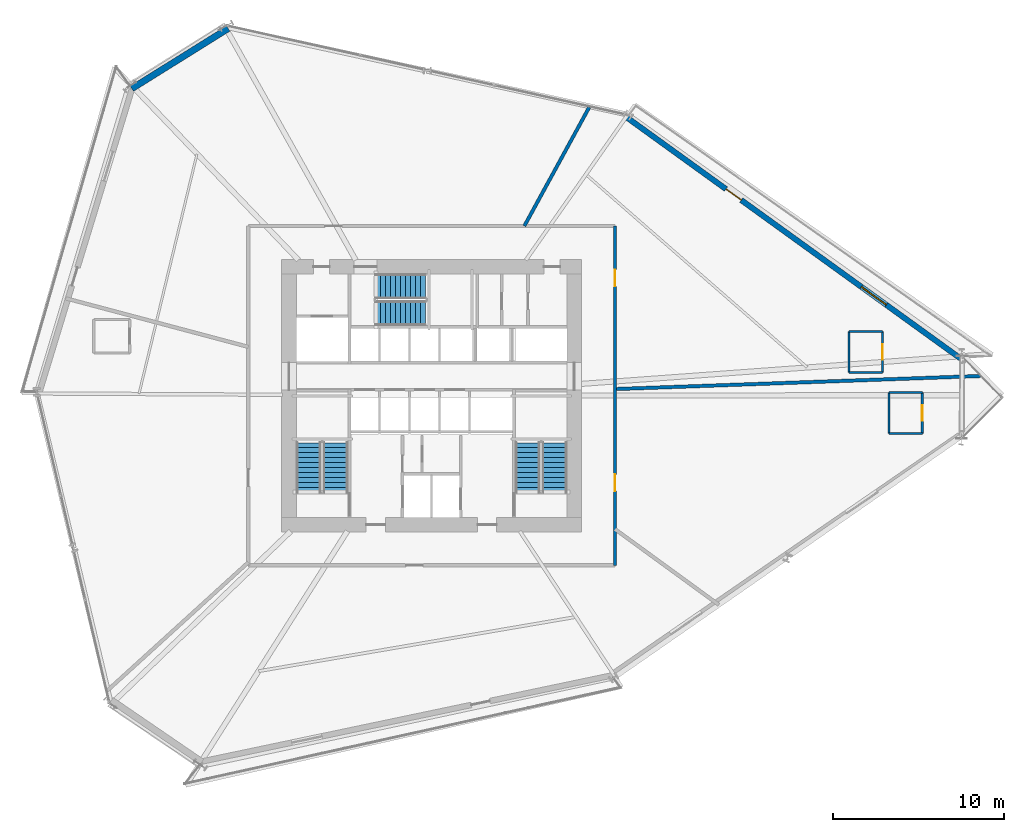
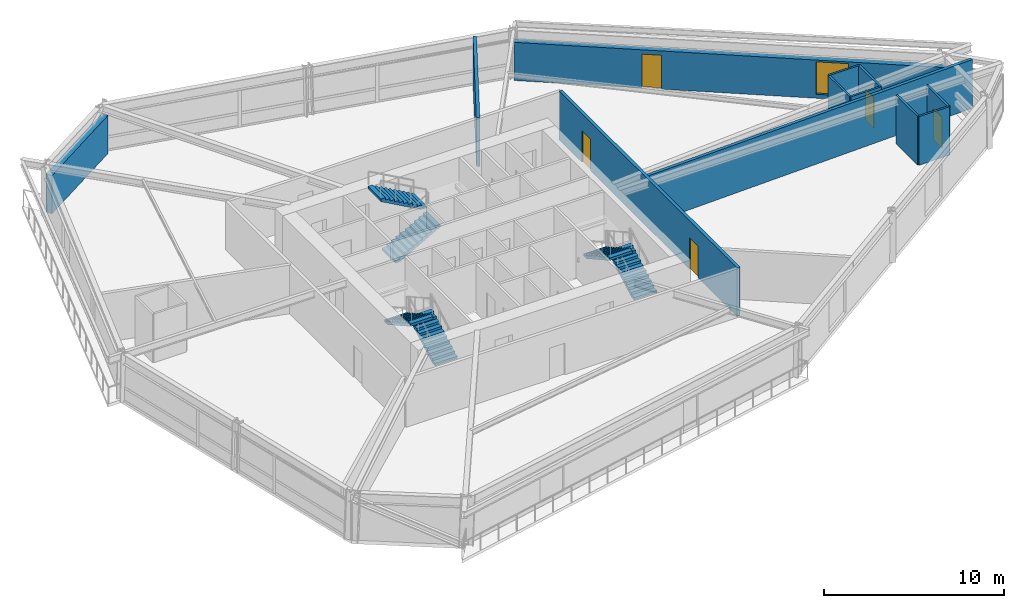
# One storey, part 20 of 24: 13 walls, 6 stair flights, 5 doors, 1 window, 6 openings, 3 elements without a shape of their own.
"""IFC4 building model written with IfcOpenShell, lengths in metres."""

import ifcopenshell
import ifcopenshell.guid

model = None  # the IFC model being written
_history = None  # IfcOwnerHistory: only IFC2X3 demands one
_inside = {}  # id of a spatial element -> (the spatial element, [elements in it])
_under = {}  # id of a project, library or spatial element -> (it, [spatial elements below it])
_declared = {}  # id of a project -> (the project, [libraries it declares])
_typed = {}  # id of a type object -> (the type object, [elements of that type])
_made_of = {}  # id of a material, layer set ... -> (it, [elements and type objects made of it])


def new_model(schema):
    """Start an empty IFC model of exactly this schema.

    Asked for "IFC4X3", IfcOpenShell would pick the latest addendum, in which some entities
    have other attributes; the version numbers below select the first issue.
    IFC2X3 requires an IfcOwnerHistory on every rooted entity: one is made here for all.
    """
    global model, _history
    if schema == "IFC4X3":
        model = ifcopenshell.file(schema_version=(4, 3, 0, 0))
    else:
        model = ifcopenshell.file(schema=schema)
    _inside.clear()
    _under.clear()
    _declared.clear()
    _typed.clear()
    _made_of.clear()
    _history = None
    if model.schema == "IFC2X3":
        org = make("IfcOrganization", Name="unknown")
        user = make(
            "IfcPersonAndOrganization",
            ThePerson=make("IfcPerson", FamilyName="unknown"),
            TheOrganization=org,
        )
        app = make(
            "IfcApplication",
            ApplicationDeveloper=org,
            Version="unknown",
            ApplicationFullName="unknown",
            ApplicationIdentifier="unknown",
        )
        _history = make(
            "IfcOwnerHistory",
            OwningUser=user,
            OwningApplication=app,
            ChangeAction="ADDED",
            CreationDate=0,
        )
    return model


def make(cls, **values):
    """One entity of the class cls with the attributes given. An attribute that is None is left unset."""
    return model.create_entity(
        cls, **{name: value for name, value in values.items() if value is not None}
    )


def rooted(cls, **values):
    """An entity with a GlobalId (a new one), such as an element, a storey or a relation."""
    return make(cls, GlobalId=ifcopenshell.guid.new(), OwnerHistory=_history, **values)


def si_unit(unit_type, name, prefix=None):
    """IfcSIUnit, for example si_unit("LENGTHUNIT", "METRE", prefix="MILLI")."""
    return make("IfcSIUnit", UnitType=unit_type, Prefix=prefix, Name=name)


def assignment(units):
    """IfcUnitAssignment: the units of a project."""
    return None if units is None else make("IfcUnitAssignment", Units=units)


def point(xyz):
    """IfcCartesianPoint."""
    return None if xyz is None else make("IfcCartesianPoint", Coordinates=xyz)


def direction(xyz):
    """IfcDirection."""
    return None if xyz is None else make("IfcDirection", DirectionRatios=xyz)


def frame(location, z_axis=None, x_axis=None):
    """IfcAxis2Placement3D, a coordinate frame: its origin and axes. An axis left out is left unset."""
    return make(
        "IfcAxis2Placement3D",
        Location=point(location),
        Axis=direction(z_axis),
        RefDirection=direction(x_axis),
    )


def frame_2d(location, x_axis=None):
    """IfcAxis2Placement2D, a coordinate frame in the plane: its origin and x axis."""
    return make(
        "IfcAxis2Placement2D", Location=point(location), RefDirection=direction(x_axis)
    )


def origin():
    """The frame at (0, 0, 0) with its axes left unset."""
    return frame((0.0, 0.0, 0.0))


def place(relative_to, where):
    """IfcLocalPlacement: puts the frame where relative to a parent placement (None: the world)."""
    return make(
        "IfcLocalPlacement", PlacementRelTo=relative_to, RelativePlacement=where
    )


def context(
    kind, dimensions, precision=None, world=None, true_north=None, identifier=None
):
    """IfcGeometricRepresentationContext, for example the 3D "Model" context."""
    return make(
        "IfcGeometricRepresentationContext",
        ContextIdentifier=identifier,
        ContextType=kind,
        CoordinateSpaceDimension=dimensions,
        Precision=precision,
        WorldCoordinateSystem=world,
        TrueNorth=true_north,
    )


def subcontext(parent, identifier, kind, view, scale=None):
    """IfcGeometricRepresentationSubContext, for example "Body" below "Model"."""
    return make(
        "IfcGeometricRepresentationSubContext",
        ContextIdentifier=identifier,
        ContextType=kind,
        ParentContext=parent,
        TargetScale=scale,
        TargetView=view,
    )


def project(units=None, contexts=None):
    """IfcProject with its units and contexts."""
    return rooted(
        "IfcProject",
        Name="project",
        RepresentationContexts=contexts,
        UnitsInContext=assignment(units),
    )


def spatial(cls, under=None, at=None, **own):
    """A site, building, storey or space (cls), placed at a placement, below another one or the project."""
    s = rooted(cls, ObjectPlacement=at, **own)
    if under is not None:
        _under.setdefault(under.id(), (under, []))[1].append(s)
    return s


def polyline(points):
    """IfcPolyline through the points."""
    return make("IfcPolyline", Points=[point(p) for p in points])


def profile(cls, at=None, kind="AREA", **sizes):
    """A parametric profile (cls). Its sizes go by their IFC names, for example OverallWidth=200.0."""
    return make(cls, ProfileType=kind, Position=at, **sizes)


def rectangle(**sizes):
    """IfcRectangleProfileDef."""
    return profile("IfcRectangleProfileDef", **sizes)


def outline(outer, holes=None, kind="AREA"):
    """IfcArbitraryClosedProfileDef: a profile drawn as a closed curve; with holes, ...WithVoids."""
    if holes is None:
        return make("IfcArbitraryClosedProfileDef", ProfileType=kind, OuterCurve=outer)
    return make(
        "IfcArbitraryProfileDefWithVoids",
        ProfileType=kind,
        OuterCurve=outer,
        InnerCurves=holes,
    )


def extrude(swept, where, along, depth):
    """IfcExtrudedAreaSolid: the profile swept, set in the frame where, extruded along a direction by depth."""
    return make(
        "IfcExtrudedAreaSolid",
        SweptArea=swept,
        Position=where,
        ExtrudedDirection=direction(along),
        Depth=depth,
    )


def shape(context_of_items, identifier, shape_type, items):
    """IfcShapeRepresentation: the items that make up one representation, for example the "Body"."""
    return make(
        "IfcShapeRepresentation",
        ContextOfItems=context_of_items,
        RepresentationIdentifier=identifier,
        RepresentationType=shape_type,
        Items=items,
    )


def source(mapping_origin, context_of_items, identifier, shape_type, items):
    """IfcRepresentationMap: a shape defined once, which mapped items show again and again."""
    return make(
        "IfcRepresentationMap",
        MappingOrigin=mapping_origin,
        MappedRepresentation=shape(context_of_items, identifier, shape_type, items),
    )


def transform(
    local_origin,
    x_axis=None,
    y_axis=None,
    z_axis=None,
    scale=None,
    scale2=None,
    scale3=None,
    uniform=True,
):
    """IfcCartesianTransformationOperator3D, or its non-uniform kind. x_axis, y_axis, z_axis: its Axis1, 2, 3."""
    if uniform:
        return make(
            "IfcCartesianTransformationOperator3D",
            Axis1=direction(x_axis),
            Axis2=direction(y_axis),
            LocalOrigin=point(local_origin),
            Scale=scale,
            Axis3=direction(z_axis),
        )
    return make(
        "IfcCartesianTransformationOperator3DnonUniform",
        Axis1=direction(x_axis),
        Axis2=direction(y_axis),
        LocalOrigin=point(local_origin),
        Scale=scale,
        Axis3=direction(z_axis),
        Scale2=scale2,
        Scale3=scale3,
    )


def mapped(mapping_source, mapping_target):
    """IfcMappedItem: shows the shape of a source again, moved by a transform."""
    return make(
        "IfcMappedItem", MappingSource=mapping_source, MappingTarget=mapping_target
    )


def material(Name=None, Category=None):
    """IfcMaterial."""
    return make("IfcMaterial", Name=Name, Category=Category)


def layer(
    of_material, thickness, ventilated=None, Name=None, Category=None, Priority=None
):
    """IfcMaterialLayer: one layer of a wall or slab, of a material (None: an air gap)."""
    return make(
        "IfcMaterialLayer",
        Material=of_material,
        LayerThickness=thickness,
        IsVentilated=ventilated,
        Name=Name,
        Category=Category,
        Priority=Priority,
    )


def layer_set(layers, Name=None):
    """IfcMaterialLayerSet."""
    return make("IfcMaterialLayerSet", MaterialLayers=layers, LayerSetName=Name)


def made_of(thing, what):
    """Note that an element or type object is made of a material, layer set ...; save() writes the relation."""
    if what is not None:
        _made_of.setdefault(what.id(), (what, []))[1].append(thing)
    return thing


def type_object(cls, material=None, **own):
    """A type object (cls), such as IfcWallType, which elements share."""
    return made_of(rooted(cls, **own), material)


def type_shapes(of_type, sources):
    """Give a type object the sources (RepresentationMaps) that its elements show as mapped items."""
    of_type.RepresentationMaps = sources


def element(
    cls,
    number,
    at=None,
    inside=None,
    cuts=None,
    type_object=None,
    material=None,
    context=None,
    identifier="Body",
    shape_type=None,
    held_by="IfcProductDefinitionShape",
    body=None,
    shapes=None,
    **own,
):
    """One element of the class cls, such as IfcWall. Its Tag is "e" and its number.

    at: its placement. inside: the storey or other place that contains it. cuts: it is an
    opening in that element (IfcRelVoidsElement). A single representation is given by context,
    identifier, shape_type and body (its items); several are given by shapes. held_by: the class
    of the entity that holds the representations. save() writes the other relations.
    """
    e = rooted(cls, Tag="e%d" % number, ObjectPlacement=at, **own)
    if body is not None:
        shapes = [shape(context, identifier, shape_type, body)]
    if shapes is not None:
        e.Representation = make(held_by, Representations=shapes)
    if inside is not None:
        _inside.setdefault(inside.id(), (inside, []))[1].append(e)
    if cuts is not None:
        rooted(
            "IfcRelVoidsElement", RelatingBuildingElement=cuts, RelatedOpeningElement=e
        )
    if type_object is not None:
        _typed.setdefault(type_object.id(), (type_object, []))[1].append(e)
    return made_of(e, material)


def fill(opening, filler):
    """IfcRelFillsElement: the door or window that sits in an opening."""
    return rooted(
        "IfcRelFillsElement",
        RelatingOpeningElement=opening,
        RelatedBuildingElement=filler,
    )


def aggregate(whole, parts):
    """IfcRelAggregates: a whole, such as a stair, and the parts it consists of."""
    return rooted("IfcRelAggregates", RelatingObject=whole, RelatedObjects=parts)


def save(model, path):
    """Write the relations noted so far, then the file.

    IfcRelAggregates (storeys below a building ...), IfcRelContainedInSpatialStructure (elements
    in a storey), IfcRelDefinesByType, IfcRelAssociatesMaterial and IfcRelDeclares: one each for
    every whole, place, type object, material and project.
    """
    for whole, parts in _under.values():
        aggregate(whole, parts)
    for where, things in _inside.values():
        rooted(
            "IfcRelContainedInSpatialStructure",
            RelatedElements=things,
            RelatingStructure=where,
        )
    for kind, things in _typed.values():
        rooted("IfcRelDefinesByType", RelatedObjects=things, RelatingType=kind)
    for what, things in _made_of.values():
        rooted("IfcRelAssociatesMaterial", RelatedObjects=things, RelatingMaterial=what)
    for by, libraries in _declared.values():
        rooted("IfcRelDeclares", RelatingContext=by, RelatedDefinitions=libraries)
    model.write(path)


model = new_model("IFC4")

# Units and contexts
model_context = context("Model", 3, precision=1e-05, world=origin(), true_north=direction((0.0, 1.0)))
body_context = subcontext(model_context, "Body", "Model", "MODEL_VIEW")
ifc_project = project(units=[si_unit("LENGTHUNIT", "METRE"), si_unit("AREAUNIT", "SQUARE_METRE"), si_unit("VOLUMEUNIT", "CUBIC_METRE"), si_unit("PLANEANGLEUNIT", "RADIAN"), si_unit("MASSUNIT", "GRAM", prefix="KILO")], contexts=[model_context])

# Site, building, storey
site_placement = place(None, origin())
site = spatial("IfcSite", under=ifc_project, at=site_placement, CompositionType="ELEMENT")
building_placement = place(site_placement, origin())
building = spatial("IfcBuilding", under=site, at=building_placement, Name="Olszyna Solenne Hotel", CompositionType="ELEMENT")
storey_placement = place(building_placement, frame((0.0, 0.0, 36.39990234375)))
storey = spatial("IfcBuildingStorey", under=building, at=storey_placement, Name="L08", CompositionType="ELEMENT", Elevation=36.39990234375)

# Wall, openings, door, window
ifc_material_1 = material(Name="Precast concrete C45/55", Category="concrete")
ifc_layer_1 = layer(ifc_material_1, 0.320068359375, Name="Precast concrete C45/55")
ifc_layer_set_1 = layer_set([ifc_layer_1], Name="Precast concrete C45/55")
wall_type_1 = type_object("IfcWallType", Name="WL-EX320", PredefinedType="SOLIDWALL", material=ifc_layer_set_1)
wall_1_placement = place(storey_placement, frame((49.3896484375, 42.83544921875, 0.0), z_axis=(0.0, 0.0, 1.0), x_axis=(0.810669048656, -0.585504648616, 0.0)))
wall_1 = element("IfcWall", 1, at=wall_1_placement, inside=storey, type_object=wall_type_1, Name="Exterior terracotta-precast frame wall WL-EX320 EW-L08-07", PredefinedType="SOLIDWALL", context=body_context, shape_type="SweptSolid", body=[
    extrude(rectangle(XDim=24.031982421875, YDim=0.320068359375, at=frame_2d((12.01611328125, 0.0))), origin(), (0.0, 0.0, 1.0), 2.592041015625),
])
opening_1_placement = place(wall_1_placement, frame((7.139892578125, 0.0, 0.0)))
opening_1 = element("IfcOpeningElement", 2, at=opening_1_placement, cuts=wall_1, Name="Opening LDG-L08-1", PredefinedType="OPENING", context=body_context, shape_type="SweptSolid", body=[
    extrude(rectangle(XDim=1.10009765625, YDim=2.300048828125, at=frame_2d((0.550048828125, 1.14990234375))), frame((0.0, 0.169921875, 0.0), z_axis=(0.0, -1.0, 0.0), x_axis=(1.0, 0.0, 0.0)), (0.0, 0.0, 1.0), 0.340087890625),
])
opening_2_placement = place(wall_1_placement, frame((16.884033203125, 0.0, 0.27197265625)))
opening_2 = element("IfcOpeningElement", 3, at=opening_2_placement, cuts=wall_1, Name="Opening WN-L08-033", PredefinedType="OPENING", context=body_context, shape_type="SweptSolid", body=[
    extrude(rectangle(XDim=1.800048828125, YDim=2.199951171875, at=frame_2d((0.89990234375, 1.10009765625))), frame((0.0, 0.169921875, 0.0), z_axis=(0.0, -1.0, 0.0), x_axis=(1.0, 0.0, 0.0)), (0.0, 0.0, 1.0), 0.340087890625),
])
ifc_material_2 = material(Name="Anodised bronze aluminium", Category="aluminium")
door_type_1 = type_object("IfcDoorType", Name="DR-LG1", OperationType="NOTDEFINED", PredefinedType="DOOR", material=ifc_material_2)
shared_shape_1 = source(origin(), body_context, "Body", "SweptSolid", [
    extrude(rectangle(XDim=1.10009765625, YDim=2.300048828125, at=frame_2d((0.550048828125, 1.14990234375))), frame((0.0, 0.02490234375, 0.0), z_axis=(0.0, -1.0, 0.0), x_axis=(1.0, 0.0, 0.0)), (0.0, 0.0, 1.0), 0.050048828125),
])
type_shapes(door_type_1, [shared_shape_1])
door_1_placement = place(opening_1_placement, origin())
door_1 = element("IfcDoor", 4, at=door_1_placement, inside=storey, type_object=door_type_1, Name="Exterior loggia balcony door DR-LG1 LDG-L08-1", OperationType="SINGLE_SWING_LEFT", OverallHeight=2.300048828125, OverallWidth=1.10009765625, PredefinedType="DOOR", context=body_context, shape_type="MappedRepresentation", body=[
    mapped(shared_shape_1, transform((0.0, 0.0, 0.0), x_axis=(1.0, 0.0, 0.0), y_axis=(0.0, 1.0, 0.0), z_axis=(0.0, 0.0, 1.0), scale=1.0)),
])
fill(opening_1, door_1)
ifc_material_3 = material(Name="Low-E triple glazing", Category="glass")
window_type = type_object("IfcWindowType", Name="WN-HT1", PartitioningType="SINGLE_PANEL", PredefinedType="WINDOW", material=ifc_material_3)
shared_shape_2 = source(origin(), body_context, "Body", "SweptSolid", [
    extrude(rectangle(XDim=1.800048828125, YDim=2.199951171875, at=frame_2d((0.89990234375, 1.10009765625))), frame((0.0, 0.030029296875, 0.0), z_axis=(0.0, -1.0, 0.0), x_axis=(1.0, 0.0, 0.0)), (0.0, 0.0, 1.0), 0.06005859375),
])
type_shapes(window_type, [shared_shape_2])
window_placement = place(opening_2_placement, origin())
window = element("IfcWindow", 5, at=window_placement, inside=storey, type_object=window_type, Name="Loggia room window WN-HT1 WN-L08-033", OverallHeight=2.199951171875, OverallWidth=1.800048828125, PartitioningType="SINGLE_PANEL", PredefinedType="WINDOW", context=body_context, shape_type="MappedRepresentation", body=[
    mapped(shared_shape_2, transform((0.0, 0.0, 0.0), x_axis=(1.0, 0.0, 0.0), y_axis=(0.0, 1.0, 0.0), z_axis=(0.0, 0.0, 1.0), scale=1.0)),
])
fill(opening_2, window)

# Wall
ifc_material_4 = material(Name="Terracotta cladding on precast concrete C45/55", Category="masonry")
ifc_layer_2 = layer(ifc_material_4, 0.3798828125, Name="Terracotta cladding on precast concrete C45/55")
ifc_layer_set_2 = layer_set([ifc_layer_2], Name="Terracotta cladding on precast concrete C45/55")
wall_type_2 = type_object("IfcWallType", Name="WL-EX380", PredefinedType="SOLIDWALL", material=ifc_layer_set_2)
wall_2_placement = place(storey_placement, frame((20.500244140625, 44.518310546875, 0.0), z_axis=(0.0, 0.0, 1.0), x_axis=(0.84849021373, 0.529211070561, 0.0)))
element("IfcWall", 6, at=wall_2_placement, inside=storey, type_object=wall_type_2, Name="Exterior terracotta-precast frame wall WL-EX380 EW-L08-05", PredefinedType="SOLIDWALL", context=body_context, shape_type="SweptSolid", body=[
    extrude(rectangle(XDim=6.631103515625, YDim=0.3798828125, at=frame_2d((3.3154296875, 0.0))), origin(), (0.0, 0.0, 1.0), 2.592041015625),
])

# Wall, opening, door
ifc_material_5 = material(Name="Acoustic gypsum partition", Category="gypsum")
ifc_layer_3 = layer(ifc_material_5, 0.125, Name="Acoustic gypsum partition")
ifc_layer_set_3 = layer_set([ifc_layer_3], Name="Acoustic gypsum partition")
wall_type_3 = type_object("IfcWallType", Name="WL-PT125", PredefinedType="PARTITIONING", material=ifc_layer_set_3)
wall_3_placement = place(storey_placement, frame((64.31005859375, 27.946044921875, 0.0), z_axis=(0.0, 0.0, 1.0), x_axis=(0.0, 1.0, 0.0)))
wall_3 = element("IfcWall", 7, at=wall_3_placement, inside=storey, type_object=wall_type_3, Name="Interior acoustic partition WL-PT125 PW-L08-0455", PredefinedType="PARTITIONING", context=body_context, shape_type="SweptSolid", body=[
    extrude(rectangle(XDim=2.39990234375, YDim=0.125, at=frame_2d((1.199951171875, 0.0))), origin(), (0.0, 0.0, 1.0), 3.300048828125),
])
opening_3_placement = place(wall_3_placement, frame((0.75, 0.0, 0.0)))
opening_3 = element("IfcOpeningElement", 8, at=opening_3_placement, cuts=wall_3, Name="Opening DR-L08-0098", PredefinedType="OPENING", context=body_context, shape_type="SweptSolid", body=[
    extrude(rectangle(XDim=0.89990234375, YDim=2.10009765625, at=frame_2d((0.449951171875, 1.050048828125))), frame((0.0, 0.072509765625, 0.0), z_axis=(0.0, -1.0, 0.0), x_axis=(1.0, 0.0, 0.0)), (0.0, 0.0, 1.0), 0.14501953125),
])
ifc_material_6 = material(Name="Timber hardwood", Category="wood")
door_type_2 = type_object("IfcDoorType", Name="DR-WC1", OperationType="NOTDEFINED", PredefinedType="DOOR", material=ifc_material_6)
shared_shape_3 = source(origin(), body_context, "Body", "SweptSolid", [
    extrude(rectangle(XDim=0.89990234375, YDim=2.10009765625, at=frame_2d((0.449951171875, 1.050048828125))), frame((0.0, 0.02490234375, 0.0), z_axis=(0.0, -1.0, 0.0), x_axis=(1.0, 0.0, 0.0)), (0.0, 0.0, 1.0), 0.050048828125),
])
type_shapes(door_type_2, [shared_shape_3])
door_2_placement = place(opening_3_placement, origin())
door_2 = element("IfcDoor", 9, at=door_2_placement, inside=storey, type_object=door_type_2, Name="En-Suite Bathroom Door DR-L08-0098", OperationType="SINGLE_SWING_RIGHT", OverallHeight=2.10009765625, OverallWidth=0.89990234375, PredefinedType="DOOR", context=body_context, shape_type="MappedRepresentation", body=[
    mapped(shared_shape_3, transform((0.0, 0.0, 0.0), x_axis=(1.0, 0.0, 0.0), y_axis=(0.0, 1.0, 0.0), z_axis=(0.0, 0.0, 1.0), scale=1.0)),
])
fill(opening_3, door_2)

# Walls
wall_4_placement = place(storey_placement, frame((64.31005859375, 30.345947265625, 0.0), z_axis=(0.0, 0.0, 1.0), x_axis=(-1.0, 0.0, 0.0)))
element("IfcWall", 10, at=wall_4_placement, inside=storey, type_object=wall_type_3, Name="Interior acoustic partition WL-PT125 PW-L08-0456", PredefinedType="PARTITIONING", context=body_context, shape_type="SweptSolid", body=[
    extrude(rectangle(XDim=1.949951171875, YDim=0.125, at=frame_2d((0.97509765625, 0.0))), origin(), (0.0, 0.0, 1.0), 3.300048828125),
])
wall_5_placement = place(storey_placement, frame((62.360107421875, 30.345947265625, 0.0), z_axis=(0.0, 0.0, 1.0), x_axis=(0.0, -1.0, 0.0)))
element("IfcWall", 11, at=wall_5_placement, inside=storey, type_object=wall_type_3, Name="Interior acoustic partition WL-PT125 PW-L08-0457", PredefinedType="PARTITIONING", context=body_context, shape_type="SweptSolid", body=[
    extrude(rectangle(XDim=2.39990234375, YDim=0.125, at=frame_2d((1.199951171875, 0.0))), origin(), (0.0, 0.0, 1.0), 3.300048828125),
])
wall_6_placement = place(storey_placement, frame((62.360107421875, 27.946044921875, 0.0), z_axis=(0.0, 0.0, 1.0), x_axis=(1.0, 0.0, 0.0)))
element("IfcWall", 12, at=wall_6_placement, inside=storey, type_object=wall_type_3, Name="Interior acoustic partition WL-PT125 PW-L08-0458", PredefinedType="PARTITIONING", context=body_context, shape_type="SweptSolid", body=[
    extrude(rectangle(XDim=1.949951171875, YDim=0.125, at=frame_2d((0.97509765625, 0.0))), origin(), (0.0, 0.0, 1.0), 3.300048828125),
])

# Wall, opening, door
wall_7_placement = place(storey_placement, frame((66.635009765625, 24.388916015625, 0.0), z_axis=(0.0, 0.0, 1.0), x_axis=(0.0, 1.0, 0.0)))
wall_7 = element("IfcWall", 13, at=wall_7_placement, inside=storey, type_object=wall_type_3, Name="Interior acoustic partition WL-PT125 PW-L08-0463", PredefinedType="PARTITIONING", context=body_context, shape_type="SweptSolid", body=[
    extrude(rectangle(XDim=2.400146484375, YDim=0.125, at=frame_2d((1.2001953125, 0.0))), origin(), (0.0, 0.0, 1.0), 3.300048828125),
])
opening_4_placement = place(wall_7_placement, frame((0.75, 0.0, 0.0)))
opening_4 = element("IfcOpeningElement", 14, at=opening_4_placement, cuts=wall_7, Name="Opening DR-L08-0100", PredefinedType="OPENING", context=body_context, shape_type="SweptSolid", body=[
    extrude(rectangle(XDim=0.89990234375, YDim=2.10009765625, at=frame_2d((0.449951171875, 1.050048828125))), frame((0.0, 0.072509765625, 0.0), z_axis=(0.0, -1.0, 0.0), x_axis=(1.0, 0.0, 0.0)), (0.0, 0.0, 1.0), 0.14501953125),
])
door_3_placement = place(opening_4_placement, origin())
door_3 = element("IfcDoor", 15, at=door_3_placement, inside=storey, type_object=door_type_2, Name="En-Suite Bathroom Door DR-L08-0100", OperationType="SINGLE_SWING_RIGHT", OverallHeight=2.10009765625, OverallWidth=0.89990234375, PredefinedType="DOOR", context=body_context, shape_type="MappedRepresentation", body=[
    mapped(shared_shape_3, transform((0.0, 0.0, 0.0), x_axis=(1.0, 0.0, 0.0), y_axis=(0.0, 1.0, 0.0), z_axis=(0.0, 0.0, 1.0), scale=1.0)),
])
fill(opening_4, door_3)

# Walls
wall_8_placement = place(storey_placement, frame((66.635009765625, 26.7890625, 0.0), z_axis=(0.0, 0.0, 1.0), x_axis=(-1.0, 0.0, 0.0)))
element("IfcWall", 16, at=wall_8_placement, inside=storey, type_object=wall_type_3, Name="Interior acoustic partition WL-PT125 PW-L08-0464", PredefinedType="PARTITIONING", context=body_context, shape_type="SweptSolid", body=[
    extrude(rectangle(XDim=1.949951171875, YDim=0.125, at=frame_2d((0.97509765625, 0.0))), origin(), (0.0, 0.0, 1.0), 2.795166015625),
])
wall_9_placement = place(storey_placement, frame((64.68505859375, 26.7890625, 0.0), z_axis=(0.0, 0.0, 1.0), x_axis=(0.0, -1.0, 0.0)))
element("IfcWall", 17, at=wall_9_placement, inside=storey, type_object=wall_type_3, Name="Interior acoustic partition WL-PT125 PW-L08-0465", PredefinedType="PARTITIONING", context=body_context, shape_type="SweptSolid", body=[
    extrude(rectangle(XDim=2.400146484375, YDim=0.125, at=frame_2d((1.2001953125, 0.0))), origin(), (0.0, 0.0, 1.0), 3.300048828125),
])
wall_10_placement = place(storey_placement, frame((64.68505859375, 24.388916015625, 0.0), z_axis=(0.0, 0.0, 1.0), x_axis=(1.0, 0.0, 0.0)))
element("IfcWall", 18, at=wall_10_placement, inside=storey, type_object=wall_type_3, Name="Interior acoustic partition WL-PT125 PW-L08-0466", PredefinedType="PARTITIONING", context=body_context, shape_type="SweptSolid", body=[
    extrude(rectangle(XDim=1.949951171875, YDim=0.125, at=frame_2d((0.97509765625, 0.0))), origin(), (0.0, 0.0, 1.0), 3.300048828125),
])
ifc_layer_4 = layer(ifc_material_5, 0.199951171875, Name="Acoustic gypsum partition")
ifc_layer_set_4 = layer_set([ifc_layer_4], Name="Acoustic gypsum partition")
wall_type_4 = type_object("IfcWallType", Name="WL-PT200", PredefinedType="PARTITIONING", material=ifc_layer_set_4)
wall_11_placement = place(storey_placement, frame((48.699951171875, 26.98291015625, 0.0), z_axis=(0.0, 0.0, 1.0), x_axis=(0.999359805542, 0.035776795099, 0.0)))
element("IfcWall", 19, at=wall_11_placement, inside=storey, type_object=wall_type_4, Name="Interior acoustic partition WL-PT200 PW-L08-0450", PredefinedType="PARTITIONING", context=body_context, shape_type="SweptSolid", body=[
    extrude(rectangle(XDim=21.345458984375, YDim=0.199951171875, at=frame_2d((10.6728515625, 0.0))), origin(), (0.0, 0.0, 1.0), 3.300048828125),
])
wall_12_placement = place(storey_placement, frame((43.41015625, 36.5, 0.0), z_axis=(0.0, 0.0, 1.0), x_axis=(0.479541725487, 0.87751907872, 0.0)))
element("IfcWall", 20, at=wall_12_placement, inside=storey, type_object=wall_type_4, Name="Interior acoustic partition WL-PT200 PW-L08-0451", PredefinedType="PARTITIONING", context=body_context, shape_type="SweptSolid", body=[
    extrude(rectangle(XDim=7.9111328125, YDim=0.199951171875, at=frame_2d((3.95556640625, 0.0))), origin(), (0.0, 0.0, 1.0), 3.300048828125),
])

# Wall, openings, doors
wall_13_placement = place(storey_placement, frame((48.699951171875, 16.699951171875, 0.0), z_axis=(0.0, 0.0, 1.0), x_axis=(0.0, 1.0, 0.0)))
wall_13 = element("IfcWall", 21, at=wall_13_placement, inside=storey, type_object=wall_type_4, Name="Interior acoustic partition WL-PT200 PW-L08-0470", PredefinedType="PARTITIONING", context=body_context, shape_type="SweptSolid", body=[
    extrude(rectangle(XDim=19.800048828125, YDim=0.199951171875, at=frame_2d((9.89990234375, 0.0))), origin(), (0.0, 0.0, 1.0), 3.300048828125),
])
opening_5_placement = place(wall_13_placement, frame((16.27294921875, 0.0, 0.0)))
opening_5 = element("IfcOpeningElement", 22, at=opening_5_placement, cuts=wall_13, Name="Opening DR-L08-0104", PredefinedType="OPENING", context=body_context, shape_type="SweptSolid", body=[
    extrude(rectangle(XDim=0.97998046875, YDim=2.14990234375, at=frame_2d((0.489990234375, 1.074951171875))), frame((0.0, 0.10986328125, 0.0), z_axis=(0.0, -1.0, 0.0), x_axis=(1.0, 0.0, 0.0)), (0.0, 0.0, 1.0), 0.219970703125),
])
opening_6_placement = place(wall_13_placement, frame((4.3310546875, 0.0, 0.0)))
opening_6 = element("IfcOpeningElement", 23, at=opening_6_placement, cuts=wall_13, Name="Opening DR-L08-0105", PredefinedType="OPENING", context=body_context, shape_type="SweptSolid", body=[
    extrude(rectangle(XDim=0.97998046875, YDim=2.14990234375, at=frame_2d((0.489990234375, 1.074951171875))), frame((0.0, 0.10986328125, 0.0), z_axis=(0.0, -1.0, 0.0), x_axis=(1.0, 0.0, 0.0)), (0.0, 0.0, 1.0), 0.219970703125),
])
door_type_3 = type_object("IfcDoorType", Name="DR-RM1", OperationType="NOTDEFINED", PredefinedType="DOOR", material=ifc_material_6)
shared_shape_4 = source(origin(), body_context, "Body", "SweptSolid", [
    extrude(rectangle(XDim=0.97998046875, YDim=2.14990234375, at=frame_2d((0.489990234375, 1.074951171875))), frame((0.0, 0.02490234375, 0.0), z_axis=(0.0, -1.0, 0.0), x_axis=(1.0, 0.0, 0.0)), (0.0, 0.0, 1.0), 0.050048828125),
])
type_shapes(door_type_3, [shared_shape_4])
door_4_placement = place(opening_5_placement, origin())
door_4 = element("IfcDoor", 24, at=door_4_placement, inside=storey, type_object=door_type_3, Name="Corner Panorama Suite Entrance Door DR-L08-0104", OperationType="SINGLE_SWING_RIGHT", OverallHeight=2.14990234375, OverallWidth=0.97998046875, PredefinedType="DOOR", context=body_context, shape_type="MappedRepresentation", body=[
    mapped(shared_shape_4, transform((0.0, 0.0, 0.0), x_axis=(1.0, 0.0, 0.0), y_axis=(0.0, 1.0, 0.0), z_axis=(0.0, 0.0, 1.0), scale=1.0)),
])
fill(opening_5, door_4)
door_5_placement = place(opening_6_placement, origin())
door_5 = element("IfcDoor", 25, at=door_5_placement, inside=storey, type_object=door_type_3, Name="Executive Reading Salon Entrance Door DR-L08-0105", OperationType="SINGLE_SWING_RIGHT", OverallHeight=2.14990234375, OverallWidth=0.97998046875, PredefinedType="DOOR", context=body_context, shape_type="MappedRepresentation", body=[
    mapped(shared_shape_4, transform((0.0, 0.0, 0.0), x_axis=(1.0, 0.0, 0.0), y_axis=(0.0, 1.0, 0.0), z_axis=(0.0, 0.0, 1.0), scale=1.0)),
])
fill(opening_6, door_5)

# Stair, stair flights
ifc_material_7 = material(Name="Concrete C40/50", Category="concrete")
stair_type = type_object("IfcStairType", Name="STR-C1", PredefinedType="TWO_QUARTER_WINDING_STAIR", material=ifc_material_7)
stair_1_placement = place(storey_placement, origin())
stair_1 = element("IfcStair", 26, at=stair_1_placement, inside=storey, type_object=stair_type, Name="L08 ST1", PredefinedType="TWO_QUARTER_WINDING_STAIR")
stair_flight_type = type_object("IfcStairFlightType", Name="FLT-C1", PredefinedType="STRAIGHT", material=ifc_material_7)
stair_flight_1_placement = place(storey_placement, frame((32.39501953125, 20.949951171875, 0.0), z_axis=(0.0, 0.0, 1.0), x_axis=(0.0, 1.0, 0.0)))
stair_flight_1 = element("IfcStairFlight", 27, at=stair_flight_1_placement, type_object=stair_flight_type, Name="ST1 flight 1", NumberOfRisers=11, NumberOfTreads=10, PredefinedType="STRAIGHT", RiserHeight=0.161363636, TreadLength=0.29, context=body_context, shape_type="SweptSolid", body=[
    extrude(outline(polyline([(0.0, 0.0), (0.0, 0.161376953125), (0.2900390625, 0.161376953125), (0.2900390625, 0.32275390625), (0.580078125, 0.32275390625), (0.580078125, 0.484130859375), (0.8701171875, 0.484130859375), (0.8701171875, 0.6455078125), (1.159912109375, 0.6455078125), (1.159912109375, 0.806884765625), (1.449951171875, 0.806884765625), (1.449951171875, 0.96826171875), (1.739990234375, 0.96826171875), (1.739990234375, 1.129638671875), (2.030029296875, 1.129638671875), (2.030029296875, 1.291015625), (2.320068359375, 1.291015625), (2.320068359375, 1.452392578125), (2.610107421875, 1.452392578125), (2.610107421875, 1.613525390625), (2.89990234375, 1.613525390625), (2.89990234375, 1.77490234375), (2.89990234375, 1.442138671875), (0.308349609375, 0.0), (0.0, 0.0)])), frame((0.0, 0.72509765625, 0.0), z_axis=(0.0, -1.0, 0.0), x_axis=(1.0, 0.0, 0.0)), (0.0, 0.0, 1.0), 1.449951171875),
])
stair_flight_2_placement = place(storey_placement, frame((30.824951171875, 23.85009765625, 1.775146484375), z_axis=(0.0, 0.0, 1.0), x_axis=(0.0, -1.0, 0.0)))
stair_flight_2 = element("IfcStairFlight", 28, at=stair_flight_2_placement, type_object=stair_flight_type, Name="ST1 flight 2", NumberOfRisers=11, NumberOfTreads=10, PredefinedType="STRAIGHT", RiserHeight=0.161363636, TreadLength=0.29, context=body_context, shape_type="SweptSolid", body=[
    extrude(outline(polyline([(0.0, 0.0), (0.0, 0.161376953125), (0.2900390625, 0.161376953125), (0.2900390625, 0.32275390625), (0.580078125, 0.32275390625), (0.580078125, 0.484130859375), (0.8701171875, 0.484130859375), (0.8701171875, 0.6455078125), (1.159912109375, 0.6455078125), (1.159912109375, 0.806884765625), (1.449951171875, 0.806884765625), (1.449951171875, 0.96826171875), (1.739990234375, 0.96826171875), (1.739990234375, 1.129638671875), (2.030029296875, 1.129638671875), (2.030029296875, 1.291015625), (2.320068359375, 1.291015625), (2.320068359375, 1.452392578125), (2.610107421875, 1.452392578125), (2.610107421875, 1.613525390625), (2.89990234375, 1.613525390625), (2.89990234375, 1.77490234375), (2.89990234375, 1.442138671875), (0.308349609375, 0.0), (0.0, 0.0)])), frame((0.0, 0.72509765625, 0.0), z_axis=(0.0, -1.0, 0.0), x_axis=(1.0, 0.0, 0.0)), (0.0, 0.0, 1.0), 1.449951171875),
])
aggregate(stair_1, [stair_flight_1, stair_flight_2])

stair_2_placement = place(storey_placement, origin())
stair_2 = element("IfcStair", 29, at=stair_2_placement, inside=storey, type_object=stair_type, Name="L08 ST2", PredefinedType="TWO_QUARTER_WINDING_STAIR")
stair_flight_3_placement = place(storey_placement, frame((45.175048828125, 20.949951171875, 0.0), z_axis=(0.0, 0.0, 1.0), x_axis=(0.0, 1.0, 0.0)))
stair_flight_3 = element("IfcStairFlight", 30, at=stair_flight_3_placement, type_object=stair_flight_type, Name="ST2 flight 1", NumberOfRisers=11, NumberOfTreads=10, PredefinedType="STRAIGHT", RiserHeight=0.161363636, TreadLength=0.29, context=body_context, shape_type="SweptSolid", body=[
    extrude(outline(polyline([(0.0, 0.0), (0.0, 0.161376953125), (0.2900390625, 0.161376953125), (0.2900390625, 0.32275390625), (0.580078125, 0.32275390625), (0.580078125, 0.484130859375), (0.8701171875, 0.484130859375), (0.8701171875, 0.6455078125), (1.159912109375, 0.6455078125), (1.159912109375, 0.806884765625), (1.449951171875, 0.806884765625), (1.449951171875, 0.96826171875), (1.739990234375, 0.96826171875), (1.739990234375, 1.129638671875), (2.030029296875, 1.129638671875), (2.030029296875, 1.291015625), (2.320068359375, 1.291015625), (2.320068359375, 1.452392578125), (2.610107421875, 1.452392578125), (2.610107421875, 1.613525390625), (2.89990234375, 1.613525390625), (2.89990234375, 1.77490234375), (2.89990234375, 1.442138671875), (0.308349609375, 0.0), (0.0, 0.0)])), frame((0.0, 0.72509765625, 0.0), z_axis=(0.0, -1.0, 0.0), x_axis=(1.0, 0.0, 0.0)), (0.0, 0.0, 1.0), 1.449951171875),
])
stair_flight_4_placement = place(storey_placement, frame((43.60498046875, 23.85009765625, 1.775146484375), z_axis=(0.0, 0.0, 1.0), x_axis=(0.0, -1.0, 0.0)))
stair_flight_4 = element("IfcStairFlight", 31, at=stair_flight_4_placement, type_object=stair_flight_type, Name="ST2 flight 2", NumberOfRisers=11, NumberOfTreads=10, PredefinedType="STRAIGHT", RiserHeight=0.161363636, TreadLength=0.29, context=body_context, shape_type="SweptSolid", body=[
    extrude(outline(polyline([(0.0, 0.0), (0.0, 0.161376953125), (0.2900390625, 0.161376953125), (0.2900390625, 0.32275390625), (0.580078125, 0.32275390625), (0.580078125, 0.484130859375), (0.8701171875, 0.484130859375), (0.8701171875, 0.6455078125), (1.159912109375, 0.6455078125), (1.159912109375, 0.806884765625), (1.449951171875, 0.806884765625), (1.449951171875, 0.96826171875), (1.739990234375, 0.96826171875), (1.739990234375, 1.129638671875), (2.030029296875, 1.129638671875), (2.030029296875, 1.291015625), (2.320068359375, 1.291015625), (2.320068359375, 1.452392578125), (2.610107421875, 1.452392578125), (2.610107421875, 1.613525390625), (2.89990234375, 1.613525390625), (2.89990234375, 1.77490234375), (2.89990234375, 1.442138671875), (0.308349609375, 0.0), (0.0, 0.0)])), frame((0.0, 0.72509765625, 0.0), z_axis=(0.0, -1.0, 0.0), x_axis=(1.0, 0.0, 0.0)), (0.0, 0.0, 1.0), 1.449951171875),
])
aggregate(stair_2, [stair_flight_3, stair_flight_4])

stair_3_placement = place(storey_placement, origin())
stair_3 = element("IfcStair", 32, at=stair_3_placement, inside=storey, type_object=stair_type, Name="L08 ST3", PredefinedType="TWO_QUARTER_WINDING_STAIR")
stair_flight_5_placement = place(storey_placement, frame((34.72998046875, 31.405029296875, 0.0), z_axis=(0.0, 0.0, 1.0), x_axis=(1.0, 0.0, 0.0)))
stair_flight_5 = element("IfcStairFlight", 33, at=stair_flight_5_placement, type_object=stair_flight_type, Name="ST3 flight 1", NumberOfRisers=11, NumberOfTreads=10, PredefinedType="STRAIGHT", RiserHeight=0.161363636, TreadLength=0.29, context=body_context, shape_type="SweptSolid", body=[
    extrude(outline(polyline([(0.0, 0.0), (0.0, 0.161376953125), (0.2900390625, 0.161376953125), (0.2900390625, 0.32275390625), (0.580078125, 0.32275390625), (0.580078125, 0.484130859375), (0.8701171875, 0.484130859375), (0.8701171875, 0.6455078125), (1.159912109375, 0.6455078125), (1.159912109375, 0.806884765625), (1.449951171875, 0.806884765625), (1.449951171875, 0.96826171875), (1.739990234375, 0.96826171875), (1.739990234375, 1.129638671875), (2.030029296875, 1.129638671875), (2.030029296875, 1.291015625), (2.320068359375, 1.291015625), (2.320068359375, 1.452392578125), (2.610107421875, 1.452392578125), (2.610107421875, 1.613525390625), (2.89990234375, 1.613525390625), (2.89990234375, 1.77490234375), (2.89990234375, 1.442138671875), (0.308349609375, 0.0), (0.0, 0.0)])), frame((0.0, 0.72509765625, 0.0), z_axis=(0.0, -1.0, 0.0), x_axis=(1.0, 0.0, 0.0)), (0.0, 0.0, 1.0), 1.449951171875),
])
stair_flight_6_placement = place(storey_placement, frame((37.6298828125, 32.97509765625, 1.775146484375), z_axis=(0.0, 0.0, 1.0), x_axis=(-1.0, 0.0, 0.0)))
stair_flight_6 = element("IfcStairFlight", 34, at=stair_flight_6_placement, type_object=stair_flight_type, Name="ST3 flight 2", NumberOfRisers=11, NumberOfTreads=10, PredefinedType="STRAIGHT", RiserHeight=0.161363636, TreadLength=0.29, context=body_context, shape_type="SweptSolid", body=[
    extrude(outline(polyline([(0.0, 0.0), (0.0, 0.161376953125), (0.2900390625, 0.161376953125), (0.2900390625, 0.32275390625), (0.580078125, 0.32275390625), (0.580078125, 0.484130859375), (0.8701171875, 0.484130859375), (0.8701171875, 0.6455078125), (1.159912109375, 0.6455078125), (1.159912109375, 0.806884765625), (1.449951171875, 0.806884765625), (1.449951171875, 0.96826171875), (1.739990234375, 0.96826171875), (1.739990234375, 1.129638671875), (2.030029296875, 1.129638671875), (2.030029296875, 1.291015625), (2.320068359375, 1.291015625), (2.320068359375, 1.452392578125), (2.610107421875, 1.452392578125), (2.610107421875, 1.613525390625), (2.89990234375, 1.613525390625), (2.89990234375, 1.77490234375), (2.89990234375, 1.442138671875), (0.308349609375, 0.0), (0.0, 0.0)])), frame((0.0, 0.72509765625, 0.0), z_axis=(0.0, -1.0, 0.0), x_axis=(1.0, 0.0, 0.0)), (0.0, 0.0, 1.0), 1.449951171875),
])
aggregate(stair_3, [stair_flight_5, stair_flight_6])

save(model, "model.ifc")
